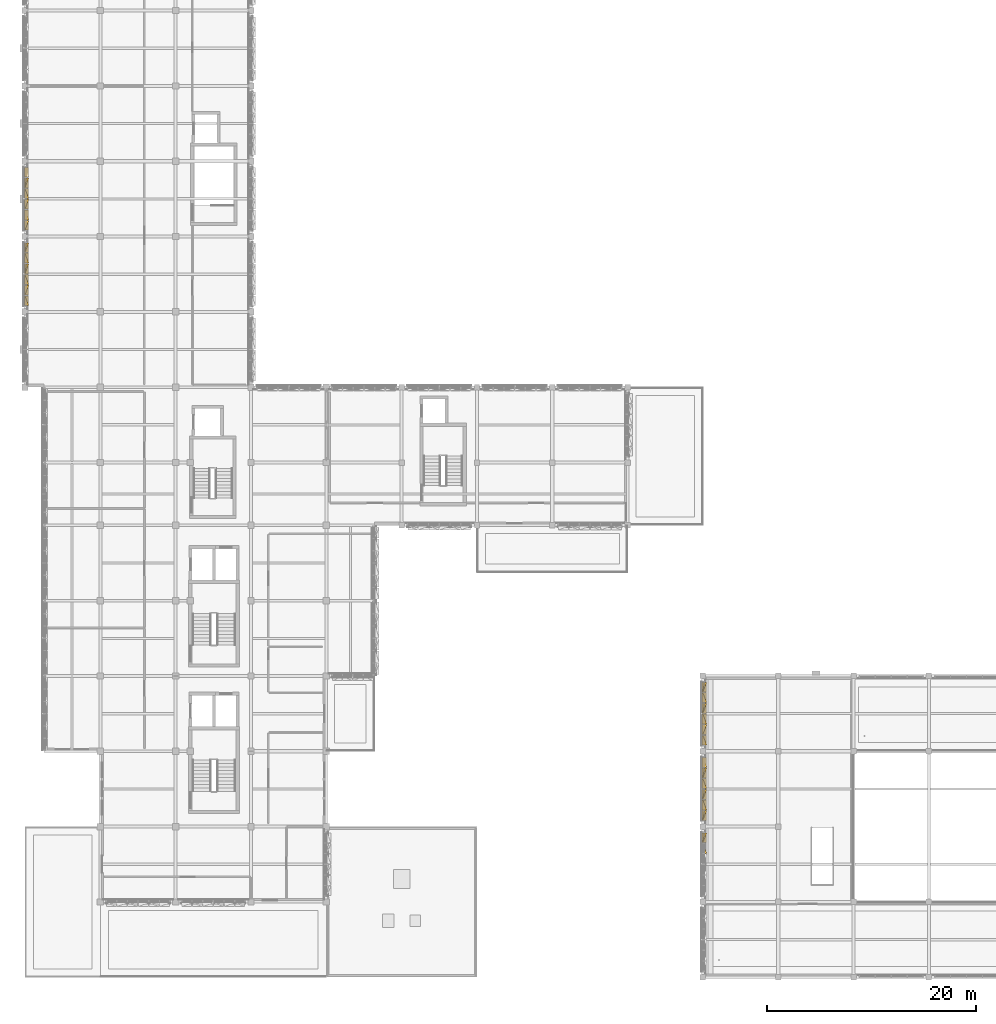
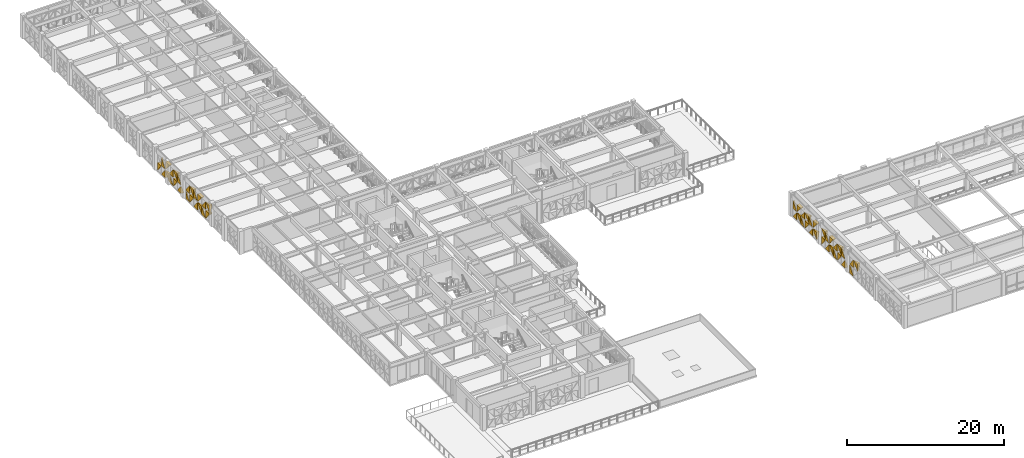
# One storey, part 70 of 74: 50 coverings.
"""IFC4 building model written with IfcOpenShell, lengths in metres."""

from ifc_helpers import new_model, si_unit, direction, frame, origin, place, context, subcontext, project, spatial, polygons, material, layer, layer_set, type_object, element, save


model = new_model("IFC4")

# Units and contexts
model_context = context("Model", 3, precision=1e-05, world=origin(), true_north=direction((0.0, 1.0)))
body_context = subcontext(model_context, "Body", "Model", "MODEL_VIEW")
ifc_project = project(units=[si_unit("LENGTHUNIT", "METRE"), si_unit("AREAUNIT", "SQUARE_METRE"), si_unit("VOLUMEUNIT", "CUBIC_METRE"), si_unit("PLANEANGLEUNIT", "RADIAN"), si_unit("MASSUNIT", "GRAM", prefix="KILO")], contexts=[model_context])

# Site, building, storey
site_placement = place(None, origin())
site = spatial("IfcSite", under=ifc_project, at=site_placement, CompositionType="ELEMENT")
building_placement = place(site_placement, origin())
building = spatial("IfcBuilding", under=site, at=building_placement, Name="Alvorim Cloister Faculty of Sciences", CompositionType="ELEMENT")
storey_placement = place(building_placement, frame((0.0, 0.0, 15.75)))
storey = spatial("IfcBuildingStorey", under=building, at=storey_placement, Name="L04", CompositionType="ELEMENT", Elevation=15.75)

# Coverings
ifc_material = material(Name="Perforated Bronze Alloy Sheet", Category="metal")
ifc_layer = layer(ifc_material, 0.0380859375)
ifc_layer_set = layer_set([ifc_layer], Name="Perforated Bronze Alloy Sheet")
covering_type = type_object("IfcCoveringType", Name="COV-TRI-BRZ", PredefinedType="CLADDING", material=ifc_layer_set)
covering_1_placement = place(storey_placement, frame((-0.044921875, 64.205078125, 0.139892578125), z_axis=(0.0, 0.0, 1.0), x_axis=(0.0, 1.0, 0.0)))
element("IfcCovering", 1, at=covering_1_placement, inside=storey, type_object=covering_type, Name="Diagonal Solid Metal Triangle TRI-TR", PredefinedType="CLADDING", context=body_context, shape_type="Tessellation", body=[
    polygons([(0.922607421875, 0.0260009765625, 0.002), (0.922607421875, 0.0260009765625, 1.215087890625), (0.002, 0.0260009765625, 1.215087890625), (0.922607421875, -0.03, 0.002), (0.922607421875, -0.4, 1.215087890625), (0.002, -0.4, 1.215087890625)], [[[1, 3, 2]], [[4, 5, 6]], [[1, 2, 5, 4]], [[2, 3, 6, 5]], [[3, 1, 4, 6]]], closed=True),
])
covering_2_placement = place(storey_placement, frame((-0.044921875, 64.205078125, 1.4951171875), z_axis=(0.0, 0.0, 1.0), x_axis=(0.0, 1.0, 0.0)))
element("IfcCovering", 2, at=covering_2_placement, inside=storey, type_object=covering_type, Name="Diagonal Solid Metal Triangle TRI-TL", PredefinedType="CLADDING", context=body_context, shape_type="Tessellation", body=[
    polygons([(0.920607421875, 0.0260009765625, 1.21484375), (0.0, 0.0260009765625, 1.21484375), (0.0, 0.0260009765625, 0.002), (0.920607421875, -0.03, 1.21484375), (0.0, -0.4, 1.21484375), (0.0, -0.13999999999999999, 0.002)], [[[1, 3, 2]], [[4, 5, 6]], [[1, 2, 5, 4]], [[2, 3, 6, 5]], [[3, 1, 4, 6]]], closed=True),
])
covering_3_placement = place(storey_placement, frame((-0.044921875, 65.1923828125, 0.139892578125), z_axis=(0.0, 0.0, 1.0), x_axis=(0.0, 1.0, 0.0)))
element("IfcCovering", 3, at=covering_3_placement, inside=storey, type_object=covering_type, Name="Diagonal Solid Metal Triangle TRI-BR", PredefinedType="CLADDING", context=body_context, shape_type="Tessellation", body=[
    polygons([(0.002, 0.0260009765625, 0.0), (0.955078125, 0.0260009765625, 0.0), (0.955078125, 0.0260009765625, 1.213087890625), (0.002, -0.03, 0.0), (0.955078125, -0.4, 0.0), (0.955078125, -0.18000000000000002, 1.213087890625)], [[[1, 3, 2]], [[4, 5, 6]], [[1, 2, 5, 4]], [[2, 3, 6, 5]], [[3, 1, 4, 6]]], closed=True),
])
covering_4_placement = place(storey_placement, frame((-0.044921875, 65.1923828125, 1.4951171875), z_axis=(0.0, 0.0, 1.0), x_axis=(0.0, 1.0, 0.0)))
element("IfcCovering", 4, at=covering_4_placement, inside=storey, type_object=covering_type, Name="Diagonal Solid Metal Triangle TRI-BL", PredefinedType="CLADDING", context=body_context, shape_type="Tessellation", body=[
    polygons([(0.0, 0.0260009765625, 0.0), (0.953078125, 0.0260009765625, 0.0), (0.0, 0.0260009765625, 1.21284375), (0.0, -0.4, 0.0), (0.953078125, -0.4, 0.0), (0.0, -0.03, 1.21284375)], [[[1, 3, 2]], [[4, 5, 6]], [[1, 2, 5, 4]], [[2, 3, 6, 5]], [[3, 1, 4, 6]]], closed=True),
])
covering_5_placement = place(storey_placement, frame((-0.044921875, 66.21240234375, 0.139892578125), z_axis=(0.0, 0.0, 1.0), x_axis=(0.0, 1.0, 0.0)))
element("IfcCovering", 5, at=covering_5_placement, inside=storey, type_object=covering_type, Name="Diagonal Solid Metal Triangle TRI-TL", PredefinedType="CLADDING", context=body_context, shape_type="Tessellation", body=[
    polygons([(0.953078125, 0.0260009765625, 1.215087890625), (0.0, 0.0260009765625, 1.215087890625), (0.0, 0.0260009765625, 0.002), (0.953078125, -0.03, 1.215087890625), (0.0, -0.4, 1.215087890625), (0.0, -0.13999999999999999, 0.002)], [[[1, 3, 2]], [[4, 5, 6]], [[1, 2, 5, 4]], [[2, 3, 6, 5]], [[3, 1, 4, 6]]], closed=True),
])
covering_6_placement = place(storey_placement, frame((-0.044921875, 66.21240234375, 1.4951171875), z_axis=(0.0, 0.0, 1.0), x_axis=(0.0, 1.0, 0.0)))
element("IfcCovering", 6, at=covering_6_placement, inside=storey, type_object=covering_type, Name="Diagonal Solid Metal Triangle TRI-TR", PredefinedType="CLADDING", context=body_context, shape_type="Tessellation", body=[
    polygons([(0.955078125, 0.0260009765625, 0.002), (0.955078125, 0.0260009765625, 1.21484375), (0.002, 0.0260009765625, 1.21484375), (0.955078125, -0.03, 0.002), (0.955078125, -0.4, 1.21484375), (0.002, -0.4, 1.21484375)], [[[1, 3, 2]], [[4, 5, 6]], [[1, 2, 5, 4]], [[2, 3, 6, 5]], [[3, 1, 4, 6]]], closed=True),
])
covering_7_placement = place(storey_placement, frame((-0.044921875, 67.232421875, 0.139892578125), z_axis=(0.0, 0.0, 1.0), x_axis=(0.0, 1.0, 0.0)))
element("IfcCovering", 7, at=covering_7_placement, inside=storey, type_object=covering_type, Name="Diagonal Solid Metal Triangle TRI-BL", PredefinedType="CLADDING", context=body_context, shape_type="Tessellation", body=[
    polygons([(0.0, 0.0260009765625, 0.0), (0.953078125, 0.0260009765625, 0.0), (0.0, 0.0260009765625, 1.213087890625), (0.0, -0.4, 0.0), (0.953078125, -0.4, 0.0), (0.0, -0.03, 1.213087890625)], [[[1, 3, 2]], [[4, 5, 6]], [[1, 2, 5, 4]], [[2, 3, 6, 5]], [[3, 1, 4, 6]]], closed=True),
])
covering_8_placement = place(storey_placement, frame((-0.044921875, 67.232421875, 1.4951171875), z_axis=(0.0, 0.0, 1.0), x_axis=(0.0, 1.0, 0.0)))
element("IfcCovering", 8, at=covering_8_placement, inside=storey, type_object=covering_type, Name="Diagonal Solid Metal Triangle TRI-BR", PredefinedType="CLADDING", context=body_context, shape_type="Tessellation", body=[
    polygons([(0.002, 0.0260009765625, 0.0), (0.955078125, 0.0260009765625, 0.0), (0.955078125, 0.0260009765625, 1.21284375), (0.002, -0.03, 0.0), (0.955078125, -0.4, 0.0), (0.955078125, -0.18000000000000002, 1.21284375)], [[[1, 3, 2]], [[4, 5, 6]], [[1, 2, 5, 4]], [[2, 3, 6, 5]], [[3, 1, 4, 6]]], closed=True),
])
covering_9_placement = place(storey_placement, frame((-0.044921875, 68.25244140625, 0.139892578125), z_axis=(0.0, 0.0, 1.0), x_axis=(0.0, 1.0, 0.0)))
element("IfcCovering", 9, at=covering_9_placement, inside=storey, type_object=covering_type, Name="Diagonal Solid Metal Triangle TRI-TR", PredefinedType="CLADDING", context=body_context, shape_type="Tessellation", body=[
    polygons([(0.955078125, 0.0260009765625, 0.002), (0.955078125, 0.0260009765625, 1.215087890625), (0.002, 0.0260009765625, 1.215087890625), (0.955078125, -0.03, 0.002), (0.955078125, -0.4, 1.215087890625), (0.002, -0.4, 1.215087890625)], [[[1, 3, 2]], [[4, 5, 6]], [[1, 2, 5, 4]], [[2, 3, 6, 5]], [[3, 1, 4, 6]]], closed=True),
])
covering_10_placement = place(storey_placement, frame((-0.044921875, 68.25244140625, 1.4951171875), z_axis=(0.0, 0.0, 1.0), x_axis=(0.0, 1.0, 0.0)))
element("IfcCovering", 10, at=covering_10_placement, inside=storey, type_object=covering_type, Name="Diagonal Solid Metal Triangle TRI-TL", PredefinedType="CLADDING", context=body_context, shape_type="Tessellation", body=[
    polygons([(0.953078125, 0.0260009765625, 1.21484375), (0.0, 0.0260009765625, 1.21484375), (0.0, 0.0260009765625, 0.002), (0.953078125, -0.03, 1.21484375), (0.0, -0.4, 1.21484375), (0.0, -0.13999999999999999, 0.002)], [[[1, 3, 2]], [[4, 5, 6]], [[1, 2, 5, 4]], [[2, 3, 6, 5]], [[3, 1, 4, 6]]], closed=True),
])
covering_11_placement = place(storey_placement, frame((-0.044921875, 69.2724609375, 0.139892578125), z_axis=(0.0, 0.0, 1.0), x_axis=(0.0, 1.0, 0.0)))
element("IfcCovering", 11, at=covering_11_placement, inside=storey, type_object=covering_type, Name="Diagonal Solid Metal Triangle TRI-BR", PredefinedType="CLADDING", context=body_context, shape_type="Tessellation", body=[
    polygons([(0.002, 0.0260009765625, 0.0), (0.922607421875, 0.0260009765625, 0.0), (0.922607421875, 0.0260009765625, 1.213087890625), (0.002, -0.03, 0.0), (0.922607421875, -0.4, 0.0), (0.922607421875, -0.18000000000000002, 1.213087890625)], [[[1, 3, 2]], [[4, 5, 6]], [[1, 2, 5, 4]], [[2, 3, 6, 5]], [[3, 1, 4, 6]]], closed=True),
])
covering_12_placement = place(storey_placement, frame((-0.044921875, 69.2724609375, 1.4951171875), z_axis=(0.0, 0.0, 1.0), x_axis=(0.0, 1.0, 0.0)))
element("IfcCovering", 12, at=covering_12_placement, inside=storey, type_object=covering_type, Name="Diagonal Solid Metal Triangle TRI-BL", PredefinedType="CLADDING", context=body_context, shape_type="Tessellation", body=[
    polygons([(0.0, 0.0260009765625, 0.0), (0.920607421875, 0.0260009765625, 0.0), (0.0, 0.0260009765625, 1.21284375), (0.0, -0.4, 0.0), (0.920607421875, -0.4, 0.0), (0.0, -0.03, 1.21284375)], [[[1, 3, 2]], [[4, 5, 6]], [[1, 2, 5, 4]], [[2, 3, 6, 5]], [[3, 1, 4, 6]]], closed=True),
])
covering_13_placement = place(storey_placement, frame((-0.044921875, 71.405029296875, 0.139892578125), z_axis=(0.0, 0.0, 1.0), x_axis=(0.0, 1.0, 0.0)))
element("IfcCovering", 13, at=covering_13_placement, inside=storey, type_object=covering_type, Name="Diagonal Solid Metal Triangle TRI-BL", PredefinedType="CLADDING", context=body_context, shape_type="Tessellation", body=[
    polygons([(0.0, 0.0260009765625, 0.0), (0.920607421875, 0.0260009765625, 0.0), (0.0, 0.0260009765625, 1.213087890625), (0.0, -0.4, 0.0), (0.920607421875, -0.4, 0.0), (0.0, -0.03, 1.213087890625)], [[[1, 3, 2]], [[4, 5, 6]], [[1, 2, 5, 4]], [[2, 3, 6, 5]], [[3, 1, 4, 6]]], closed=True),
])
covering_14_placement = place(storey_placement, frame((-0.044921875, 71.405029296875, 1.4951171875), z_axis=(0.0, 0.0, 1.0), x_axis=(0.0, 1.0, 0.0)))
element("IfcCovering", 14, at=covering_14_placement, inside=storey, type_object=covering_type, Name="Diagonal Solid Metal Triangle TRI-BR", PredefinedType="CLADDING", context=body_context, shape_type="Tessellation", body=[
    polygons([(0.002, 0.0260009765625, 0.0), (0.922607421875, 0.0260009765625, 0.0), (0.922607421875, 0.0260009765625, 1.21284375), (0.002, -0.03, 0.0), (0.922607421875, -0.4, 0.0), (0.922607421875, -0.18000000000000002, 1.21284375)], [[[1, 3, 2]], [[4, 5, 6]], [[1, 2, 5, 4]], [[2, 3, 6, 5]], [[3, 1, 4, 6]]], closed=True),
])
covering_15_placement = place(storey_placement, frame((-0.044921875, 72.392578125, 0.139892578125), z_axis=(0.0, 0.0, 1.0), x_axis=(0.0, 1.0, 0.0)))
element("IfcCovering", 15, at=covering_15_placement, inside=storey, type_object=covering_type, Name="Diagonal Solid Metal Triangle TRI-TR", PredefinedType="CLADDING", context=body_context, shape_type="Tessellation", body=[
    polygons([(0.955078125, 0.0260009765625, 0.002), (0.955078125, 0.0260009765625, 1.215087890625), (0.002, 0.0260009765625, 1.215087890625), (0.955078125, -0.03, 0.002), (0.955078125, -0.4, 1.215087890625), (0.002, -0.4, 1.215087890625)], [[[1, 3, 2]], [[4, 5, 6]], [[1, 2, 5, 4]], [[2, 3, 6, 5]], [[3, 1, 4, 6]]], closed=True),
])
covering_16_placement = place(storey_placement, frame((-0.044921875, 72.392578125, 1.4951171875), z_axis=(0.0, 0.0, 1.0), x_axis=(0.0, 1.0, 0.0)))
element("IfcCovering", 16, at=covering_16_placement, inside=storey, type_object=covering_type, Name="Diagonal Solid Metal Triangle TRI-TL", PredefinedType="CLADDING", context=body_context, shape_type="Tessellation", body=[
    polygons([(0.953078125, 0.0260009765625, 1.21484375), (0.0, 0.0260009765625, 1.21484375), (0.0, 0.0260009765625, 0.002), (0.953078125, -0.03, 1.21484375), (0.0, -0.4, 1.21484375), (0.0, -0.13999999999999999, 0.002)], [[[1, 3, 2]], [[4, 5, 6]], [[1, 2, 5, 4]], [[2, 3, 6, 5]], [[3, 1, 4, 6]]], closed=True),
])
covering_17_placement = place(storey_placement, frame((-0.044921875, 73.41259765625, 0.139892578125), z_axis=(0.0, 0.0, 1.0), x_axis=(0.0, 1.0, 0.0)))
element("IfcCovering", 17, at=covering_17_placement, inside=storey, type_object=covering_type, Name="Diagonal Solid Metal Triangle TRI-BR", PredefinedType="CLADDING", context=body_context, shape_type="Tessellation", body=[
    polygons([(0.002, 0.0260009765625, 0.0), (0.955078125, 0.0260009765625, 0.0), (0.955078125, 0.0260009765625, 1.213087890625), (0.002, -0.03, 0.0), (0.955078125, -0.4, 0.0), (0.955078125, -0.18000000000000002, 1.213087890625)], [[[1, 3, 2]], [[4, 5, 6]], [[1, 2, 5, 4]], [[2, 3, 6, 5]], [[3, 1, 4, 6]]], closed=True),
])
covering_18_placement = place(storey_placement, frame((-0.044921875, 73.41259765625, 1.4951171875), z_axis=(0.0, 0.0, 1.0), x_axis=(0.0, 1.0, 0.0)))
element("IfcCovering", 18, at=covering_18_placement, inside=storey, type_object=covering_type, Name="Diagonal Solid Metal Triangle TRI-BL", PredefinedType="CLADDING", context=body_context, shape_type="Tessellation", body=[
    polygons([(0.0, 0.0260009765625, 0.0), (0.953078125, 0.0260009765625, 0.0), (0.0, 0.0260009765625, 1.21284375), (0.0, -0.4, 0.0), (0.953078125, -0.4, 0.0), (0.0, -0.03, 1.21284375)], [[[1, 3, 2]], [[4, 5, 6]], [[1, 2, 5, 4]], [[2, 3, 6, 5]], [[3, 1, 4, 6]]], closed=True),
])
covering_19_placement = place(storey_placement, frame((-0.044921875, 74.4326171875, 0.139892578125), z_axis=(0.0, 0.0, 1.0), x_axis=(0.0, 1.0, 0.0)))
element("IfcCovering", 19, at=covering_19_placement, inside=storey, type_object=covering_type, Name="Diagonal Solid Metal Triangle TRI-TL", PredefinedType="CLADDING", context=body_context, shape_type="Tessellation", body=[
    polygons([(0.953078125, 0.0260009765625, 1.215087890625), (0.0, 0.0260009765625, 1.215087890625), (0.0, 0.0260009765625, 0.002), (0.953078125, -0.03, 1.215087890625), (0.0, -0.4, 1.215087890625), (0.0, -0.13999999999999999, 0.002)], [[[1, 3, 2]], [[4, 5, 6]], [[1, 2, 5, 4]], [[2, 3, 6, 5]], [[3, 1, 4, 6]]], closed=True),
])
covering_20_placement = place(storey_placement, frame((-0.044921875, 74.4326171875, 1.4951171875), z_axis=(0.0, 0.0, 1.0), x_axis=(0.0, 1.0, 0.0)))
element("IfcCovering", 20, at=covering_20_placement, inside=storey, type_object=covering_type, Name="Diagonal Solid Metal Triangle TRI-TR", PredefinedType="CLADDING", context=body_context, shape_type="Tessellation", body=[
    polygons([(0.955078125, 0.0260009765625, 0.002), (0.955078125, 0.0260009765625, 1.21484375), (0.002, 0.0260009765625, 1.21484375), (0.955078125, -0.03, 0.002), (0.955078125, -0.4, 1.21484375), (0.002, -0.4, 1.21484375)], [[[1, 3, 2]], [[4, 5, 6]], [[1, 2, 5, 4]], [[2, 3, 6, 5]], [[3, 1, 4, 6]]], closed=True),
])
covering_21_placement = place(storey_placement, frame((-0.044921875, 75.452392578125, 0.139892578125), z_axis=(0.0, 0.0, 1.0), x_axis=(0.0, 1.0, 0.0)))
element("IfcCovering", 21, at=covering_21_placement, inside=storey, type_object=covering_type, Name="Diagonal Solid Metal Triangle TRI-BL", PredefinedType="CLADDING", context=body_context, shape_type="Tessellation", body=[
    polygons([(0.0, 0.0260009765625, 0.0), (0.953078125, 0.0260009765625, 0.0), (0.0, 0.0260009765625, 1.213087890625), (0.0, -0.4, 0.0), (0.953078125, -0.4, 0.0), (0.0, -0.03, 1.213087890625)], [[[1, 3, 2]], [[4, 5, 6]], [[1, 2, 5, 4]], [[2, 3, 6, 5]], [[3, 1, 4, 6]]], closed=True),
])
covering_22_placement = place(storey_placement, frame((-0.044921875, 75.452392578125, 1.4951171875), z_axis=(0.0, 0.0, 1.0), x_axis=(0.0, 1.0, 0.0)))
element("IfcCovering", 22, at=covering_22_placement, inside=storey, type_object=covering_type, Name="Diagonal Solid Metal Triangle TRI-BR", PredefinedType="CLADDING", context=body_context, shape_type="Tessellation", body=[
    polygons([(0.002, 0.0260009765625, 0.0), (0.955078125, 0.0260009765625, 0.0), (0.955078125, 0.0260009765625, 1.21284375), (0.002, -0.03, 0.0), (0.955078125, -0.4, 0.0), (0.955078125, -0.18000000000000002, 1.21284375)], [[[1, 3, 2]], [[4, 5, 6]], [[1, 2, 5, 4]], [[2, 3, 6, 5]], [[3, 1, 4, 6]]], closed=True),
])
covering_23_placement = place(storey_placement, frame((-0.044921875, 76.472412109375, 0.139892578125), z_axis=(0.0, 0.0, 1.0), x_axis=(0.0, 1.0, 0.0)))
element("IfcCovering", 23, at=covering_23_placement, inside=storey, type_object=covering_type, Name="Diagonal Solid Metal Triangle TRI-TR", PredefinedType="CLADDING", context=body_context, shape_type="Tessellation", body=[
    polygons([(0.922607421875, 0.0260009765625, 0.002), (0.922607421875, 0.0260009765625, 1.215087890625), (0.002, 0.0260009765625, 1.215087890625), (0.922607421875, -0.03, 0.002), (0.922607421875, -0.4, 1.215087890625), (0.002, -0.4, 1.215087890625)], [[[1, 3, 2]], [[4, 5, 6]], [[1, 2, 5, 4]], [[2, 3, 6, 5]], [[3, 1, 4, 6]]], closed=True),
])
covering_24_placement = place(storey_placement, frame((64.7548828125, 11.8525390625, 1.4951171875), z_axis=(0.0, 0.0, 1.0), x_axis=(0.0, 1.0, 0.0)))
element("IfcCovering", 24, at=covering_24_placement, inside=storey, type_object=covering_type, Name="Diagonal Solid Metal Triangle TRI-TL", PredefinedType="CLADDING", context=body_context, shape_type="Tessellation", body=[
    polygons([(0.953078125, 0.0260009765625, 1.21484375), (0.0, 0.0260009765625, 1.21484375), (0.0, 0.0260009765625, 0.002), (0.953078125, -0.03, 1.21484375), (0.0, -0.4, 1.21484375), (0.0, -0.13999999999999999, 0.002)], [[[1, 3, 2]], [[4, 5, 6]], [[1, 2, 5, 4]], [[2, 3, 6, 5]], [[3, 1, 4, 6]]], closed=True),
])
covering_25_placement = place(storey_placement, frame((64.7548828125, 12.87255859375, 0.139892578125), z_axis=(0.0, 0.0, 1.0), x_axis=(0.0, 1.0, 0.0)))
element("IfcCovering", 25, at=covering_25_placement, inside=storey, type_object=covering_type, Name="Diagonal Solid Metal Triangle TRI-BR", PredefinedType="CLADDING", context=body_context, shape_type="Tessellation", body=[
    polygons([(0.002, 0.0260009765625, 0.0), (0.922607421875, 0.0260009765625, 0.0), (0.922607421875, 0.0260009765625, 1.213087890625), (0.002, -0.03, 0.0), (0.922607421875, -0.4, 0.0), (0.922607421875, -0.18000000000000002, 1.213087890625)], [[[1, 3, 2]], [[4, 5, 6]], [[1, 2, 5, 4]], [[2, 3, 6, 5]], [[3, 1, 4, 6]]], closed=True),
])
covering_26_placement = place(storey_placement, frame((64.7548828125, 12.87255859375, 1.4951171875), z_axis=(0.0, 0.0, 1.0), x_axis=(0.0, 1.0, 0.0)))
element("IfcCovering", 26, at=covering_26_placement, inside=storey, type_object=covering_type, Name="Diagonal Solid Metal Triangle TRI-BL", PredefinedType="CLADDING", context=body_context, shape_type="Tessellation", body=[
    polygons([(0.0, 0.0260009765625, 0.0), (0.920607421875, 0.0260009765625, 0.0), (0.0, 0.0260009765625, 1.21284375), (0.0, -0.4, 0.0), (0.920607421875, -0.4, 0.0), (0.0, -0.03, 1.21284375)], [[[1, 3, 2]], [[4, 5, 6]], [[1, 2, 5, 4]], [[2, 3, 6, 5]], [[3, 1, 4, 6]]], closed=True),
])
covering_27_placement = place(storey_placement, frame((64.7548828125, 15.0048828125, 0.139892578125), z_axis=(0.0, 0.0, 1.0), x_axis=(0.0, 1.0, 0.0)))
element("IfcCovering", 27, at=covering_27_placement, inside=storey, type_object=covering_type, Name="Diagonal Solid Metal Triangle TRI-BL", PredefinedType="CLADDING", context=body_context, shape_type="Tessellation", body=[
    polygons([(0.0, 0.0260009765625, 0.0), (0.920607421875, 0.0260009765625, 0.0), (0.0, 0.0260009765625, 1.213087890625), (0.0, -0.4, 0.0), (0.920607421875, -0.4, 0.0), (0.0, -0.03, 1.213087890625)], [[[1, 3, 2]], [[4, 5, 6]], [[1, 2, 5, 4]], [[2, 3, 6, 5]], [[3, 1, 4, 6]]], closed=True),
])
covering_28_placement = place(storey_placement, frame((64.7548828125, 15.0048828125, 1.4951171875), z_axis=(0.0, 0.0, 1.0), x_axis=(0.0, 1.0, 0.0)))
element("IfcCovering", 28, at=covering_28_placement, inside=storey, type_object=covering_type, Name="Diagonal Solid Metal Triangle TRI-BR", PredefinedType="CLADDING", context=body_context, shape_type="Tessellation", body=[
    polygons([(0.002, 0.0260009765625, 0.0), (0.922607421875, 0.0260009765625, 0.0), (0.922607421875, 0.0260009765625, 1.21284375), (0.002, -0.03, 0.0), (0.922607421875, -0.4, 0.0), (0.922607421875, -0.18000000000000002, 1.21284375)], [[[1, 3, 2]], [[4, 5, 6]], [[1, 2, 5, 4]], [[2, 3, 6, 5]], [[3, 1, 4, 6]]], closed=True),
])
covering_29_placement = place(storey_placement, frame((64.7548828125, 15.992431640625, 0.139892578125), z_axis=(0.0, 0.0, 1.0), x_axis=(0.0, 1.0, 0.0)))
element("IfcCovering", 29, at=covering_29_placement, inside=storey, type_object=covering_type, Name="Diagonal Solid Metal Triangle TRI-TR", PredefinedType="CLADDING", context=body_context, shape_type="Tessellation", body=[
    polygons([(0.955078125, 0.0260009765625, 0.002), (0.955078125, 0.0260009765625, 1.215087890625), (0.002, 0.0260009765625, 1.215087890625), (0.955078125, -0.03, 0.002), (0.955078125, -0.4, 1.215087890625), (0.002, -0.4, 1.215087890625)], [[[1, 3, 2]], [[4, 5, 6]], [[1, 2, 5, 4]], [[2, 3, 6, 5]], [[3, 1, 4, 6]]], closed=True),
])
covering_30_placement = place(storey_placement, frame((64.7548828125, 15.992431640625, 1.4951171875), z_axis=(0.0, 0.0, 1.0), x_axis=(0.0, 1.0, 0.0)))
element("IfcCovering", 30, at=covering_30_placement, inside=storey, type_object=covering_type, Name="Diagonal Solid Metal Triangle TRI-TL", PredefinedType="CLADDING", context=body_context, shape_type="Tessellation", body=[
    polygons([(0.953078125, 0.0260009765625, 1.21484375), (0.0, 0.0260009765625, 1.21484375), (0.0, 0.0260009765625, 0.002), (0.953078125, -0.03, 1.21484375), (0.0, -0.4, 1.21484375), (0.0, -0.13999999999999999, 0.002)], [[[1, 3, 2]], [[4, 5, 6]], [[1, 2, 5, 4]], [[2, 3, 6, 5]], [[3, 1, 4, 6]]], closed=True),
])
covering_31_placement = place(storey_placement, frame((64.7548828125, 17.012451171875, 0.139892578125), z_axis=(0.0, 0.0, 1.0), x_axis=(0.0, 1.0, 0.0)))
element("IfcCovering", 31, at=covering_31_placement, inside=storey, type_object=covering_type, Name="Diagonal Solid Metal Triangle TRI-BR", PredefinedType="CLADDING", context=body_context, shape_type="Tessellation", body=[
    polygons([(0.002, 0.0260009765625, 0.0), (0.955078125, 0.0260009765625, 0.0), (0.955078125, 0.0260009765625, 1.213087890625), (0.002, -0.03, 0.0), (0.955078125, -0.4, 0.0), (0.955078125, -0.18000000000000002, 1.213087890625)], [[[1, 3, 2]], [[4, 5, 6]], [[1, 2, 5, 4]], [[2, 3, 6, 5]], [[3, 1, 4, 6]]], closed=True),
])
covering_32_placement = place(storey_placement, frame((64.7548828125, 17.012451171875, 1.4951171875), z_axis=(0.0, 0.0, 1.0), x_axis=(0.0, 1.0, 0.0)))
element("IfcCovering", 32, at=covering_32_placement, inside=storey, type_object=covering_type, Name="Diagonal Solid Metal Triangle TRI-BL", PredefinedType="CLADDING", context=body_context, shape_type="Tessellation", body=[
    polygons([(0.0, 0.0260009765625, 0.0), (0.953078125, 0.0260009765625, 0.0), (0.0, 0.0260009765625, 1.21284375), (0.0, -0.4, 0.0), (0.953078125, -0.4, 0.0), (0.0, -0.03, 1.21284375)], [[[1, 3, 2]], [[4, 5, 6]], [[1, 2, 5, 4]], [[2, 3, 6, 5]], [[3, 1, 4, 6]]], closed=True),
])
covering_33_placement = place(storey_placement, frame((64.7548828125, 18.032470703125, 0.139892578125), z_axis=(0.0, 0.0, 1.0), x_axis=(0.0, 1.0, 0.0)))
element("IfcCovering", 33, at=covering_33_placement, inside=storey, type_object=covering_type, Name="Diagonal Solid Metal Triangle TRI-TL", PredefinedType="CLADDING", context=body_context, shape_type="Tessellation", body=[
    polygons([(0.953078125, 0.0260009765625, 1.215087890625), (0.0, 0.0260009765625, 1.215087890625), (0.0, 0.0260009765625, 0.002), (0.953078125, -0.03, 1.215087890625), (0.0, -0.4, 1.215087890625), (0.0, -0.13999999999999999, 0.002)], [[[1, 3, 2]], [[4, 5, 6]], [[1, 2, 5, 4]], [[2, 3, 6, 5]], [[3, 1, 4, 6]]], closed=True),
])
covering_34_placement = place(storey_placement, frame((64.7548828125, 18.032470703125, 1.4951171875), z_axis=(0.0, 0.0, 1.0), x_axis=(0.0, 1.0, 0.0)))
element("IfcCovering", 34, at=covering_34_placement, inside=storey, type_object=covering_type, Name="Diagonal Solid Metal Triangle TRI-TR", PredefinedType="CLADDING", context=body_context, shape_type="Tessellation", body=[
    polygons([(0.955078125, 0.0260009765625, 0.002), (0.955078125, 0.0260009765625, 1.21484375), (0.002, 0.0260009765625, 1.21484375), (0.955078125, -0.03, 0.002), (0.955078125, -0.4, 1.21484375), (0.002, -0.4, 1.21484375)], [[[1, 3, 2]], [[4, 5, 6]], [[1, 2, 5, 4]], [[2, 3, 6, 5]], [[3, 1, 4, 6]]], closed=True),
])
covering_35_placement = place(storey_placement, frame((64.7548828125, 19.052490234375, 0.139892578125), z_axis=(0.0, 0.0, 1.0), x_axis=(0.0, 1.0, 0.0)))
element("IfcCovering", 35, at=covering_35_placement, inside=storey, type_object=covering_type, Name="Diagonal Solid Metal Triangle TRI-BL", PredefinedType="CLADDING", context=body_context, shape_type="Tessellation", body=[
    polygons([(0.0, 0.0260009765625, 0.0), (0.953078125, 0.0260009765625, 0.0), (0.0, 0.0260009765625, 1.213087890625), (0.0, -0.4, 0.0), (0.953078125, -0.4, 0.0), (0.0, -0.03, 1.213087890625)], [[[1, 3, 2]], [[4, 5, 6]], [[1, 2, 5, 4]], [[2, 3, 6, 5]], [[3, 1, 4, 6]]], closed=True),
])
covering_36_placement = place(storey_placement, frame((64.7548828125, 19.052490234375, 1.4951171875), z_axis=(0.0, 0.0, 1.0), x_axis=(0.0, 1.0, 0.0)))
element("IfcCovering", 36, at=covering_36_placement, inside=storey, type_object=covering_type, Name="Diagonal Solid Metal Triangle TRI-BR", PredefinedType="CLADDING", context=body_context, shape_type="Tessellation", body=[
    polygons([(0.002, 0.0260009765625, 0.0), (0.955078125, 0.0260009765625, 0.0), (0.955078125, 0.0260009765625, 1.21284375), (0.002, -0.03, 0.0), (0.955078125, -0.4, 0.0), (0.955078125, -0.18000000000000002, 1.21284375)], [[[1, 3, 2]], [[4, 5, 6]], [[1, 2, 5, 4]], [[2, 3, 6, 5]], [[3, 1, 4, 6]]], closed=True),
])
covering_37_placement = place(storey_placement, frame((64.7548828125, 20.072509765625, 0.139892578125), z_axis=(0.0, 0.0, 1.0), x_axis=(0.0, 1.0, 0.0)))
element("IfcCovering", 37, at=covering_37_placement, inside=storey, type_object=covering_type, Name="Diagonal Solid Metal Triangle TRI-TR", PredefinedType="CLADDING", context=body_context, shape_type="Tessellation", body=[
    polygons([(0.922607421875, 0.0260009765625, 0.002), (0.922607421875, 0.0260009765625, 1.215087890625), (0.002, 0.0260009765625, 1.215087890625), (0.922607421875, -0.03, 0.002), (0.922607421875, -0.4, 1.215087890625), (0.002, -0.4, 1.215087890625)], [[[1, 3, 2]], [[4, 5, 6]], [[1, 2, 5, 4]], [[2, 3, 6, 5]], [[3, 1, 4, 6]]], closed=True),
])
covering_38_placement = place(storey_placement, frame((64.7548828125, 20.072509765625, 1.4951171875), z_axis=(0.0, 0.0, 1.0), x_axis=(0.0, 1.0, 0.0)))
element("IfcCovering", 38, at=covering_38_placement, inside=storey, type_object=covering_type, Name="Diagonal Solid Metal Triangle TRI-TL", PredefinedType="CLADDING", context=body_context, shape_type="Tessellation", body=[
    polygons([(0.920607421875, 0.0260009765625, 1.21484375), (0.0, 0.0260009765625, 1.21484375), (0.0, 0.0260009765625, 0.002), (0.920607421875, -0.03, 1.21484375), (0.0, -0.4, 1.21484375), (0.0, -0.13999999999999999, 0.002)], [[[1, 3, 2]], [[4, 5, 6]], [[1, 2, 5, 4]], [[2, 3, 6, 5]], [[3, 1, 4, 6]]], closed=True),
])
covering_39_placement = place(storey_placement, frame((64.7548828125, 22.205078125, 0.139892578125), z_axis=(0.0, 0.0, 1.0), x_axis=(0.0, 1.0, 0.0)))
element("IfcCovering", 39, at=covering_39_placement, inside=storey, type_object=covering_type, Name="Diagonal Solid Metal Triangle TRI-TL", PredefinedType="CLADDING", context=body_context, shape_type="Tessellation", body=[
    polygons([(0.920607421875, 0.0260009765625, 1.162841796875), (0.0, 0.0260009765625, 1.162841796875), (0.0, 0.0260009765625, 0.002), (0.920607421875, -0.03, 1.162841796875), (0.0, -0.4, 1.162841796875), (0.0, -0.13999999999999999, 0.002)], [[[1, 3, 2]], [[4, 5, 6]], [[1, 2, 5, 4]], [[2, 3, 6, 5]], [[3, 1, 4, 6]]], closed=True),
])
covering_40_placement = place(storey_placement, frame((64.7548828125, 22.205078125, 1.44287109375), z_axis=(0.0, 0.0, 1.0), x_axis=(0.0, 1.0, 0.0)))
element("IfcCovering", 40, at=covering_40_placement, inside=storey, type_object=covering_type, Name="Diagonal Solid Metal Triangle TRI-TR", PredefinedType="CLADDING", context=body_context, shape_type="Tessellation", body=[
    polygons([(0.922607421875, 0.0260009765625, 0.002), (0.922607421875, 0.0260009765625, 1.162841796875), (0.002, 0.0260009765625, 1.162841796875), (0.922607421875, -0.03, 0.002), (0.922607421875, -0.4, 1.162841796875), (0.002, -0.4, 1.162841796875)], [[[1, 3, 2]], [[4, 5, 6]], [[1, 2, 5, 4]], [[2, 3, 6, 5]], [[3, 1, 4, 6]]], closed=True),
])
covering_41_placement = place(storey_placement, frame((64.7548828125, 23.1923828125, 0.139892578125), z_axis=(0.0, 0.0, 1.0), x_axis=(0.0, 1.0, 0.0)))
element("IfcCovering", 41, at=covering_41_placement, inside=storey, type_object=covering_type, Name="Diagonal Solid Metal Triangle TRI-BL", PredefinedType="CLADDING", context=body_context, shape_type="Tessellation", body=[
    polygons([(0.0, 0.0260009765625, 0.0), (0.953078125, 0.0260009765625, 0.0), (0.0, 0.0260009765625, 1.160841796875), (0.0, -0.4, 0.0), (0.953078125, -0.4, 0.0), (0.0, -0.03, 1.160841796875)], [[[1, 3, 2]], [[4, 5, 6]], [[1, 2, 5, 4]], [[2, 3, 6, 5]], [[3, 1, 4, 6]]], closed=True),
])
covering_42_placement = place(storey_placement, frame((64.7548828125, 23.1923828125, 1.44287109375), z_axis=(0.0, 0.0, 1.0), x_axis=(0.0, 1.0, 0.0)))
element("IfcCovering", 42, at=covering_42_placement, inside=storey, type_object=covering_type, Name="Diagonal Solid Metal Triangle TRI-BR", PredefinedType="CLADDING", context=body_context, shape_type="Tessellation", body=[
    polygons([(0.002, 0.0260009765625, 0.0), (0.955078125, 0.0260009765625, 0.0), (0.955078125, 0.0260009765625, 1.160841796875), (0.002, -0.03, 0.0), (0.955078125, -0.4, 0.0), (0.955078125, -0.18000000000000002, 1.160841796875)], [[[1, 3, 2]], [[4, 5, 6]], [[1, 2, 5, 4]], [[2, 3, 6, 5]], [[3, 1, 4, 6]]], closed=True),
])
covering_43_placement = place(storey_placement, frame((64.7548828125, 24.21240234375, 0.139892578125), z_axis=(0.0, 0.0, 1.0), x_axis=(0.0, 1.0, 0.0)))
element("IfcCovering", 43, at=covering_43_placement, inside=storey, type_object=covering_type, Name="Diagonal Solid Metal Triangle TRI-TR", PredefinedType="CLADDING", context=body_context, shape_type="Tessellation", body=[
    polygons([(0.955078125, 0.0260009765625, 0.002), (0.955078125, 0.0260009765625, 1.162841796875), (0.002, 0.0260009765625, 1.162841796875), (0.955078125, -0.03, 0.002), (0.955078125, -0.4, 1.162841796875), (0.002, -0.4, 1.162841796875)], [[[1, 3, 2]], [[4, 5, 6]], [[1, 2, 5, 4]], [[2, 3, 6, 5]], [[3, 1, 4, 6]]], closed=True),
])
covering_44_placement = place(storey_placement, frame((64.7548828125, 24.21240234375, 1.44287109375), z_axis=(0.0, 0.0, 1.0), x_axis=(0.0, 1.0, 0.0)))
element("IfcCovering", 44, at=covering_44_placement, inside=storey, type_object=covering_type, Name="Diagonal Solid Metal Triangle TRI-TL", PredefinedType="CLADDING", context=body_context, shape_type="Tessellation", body=[
    polygons([(0.953078125, 0.0260009765625, 1.162841796875), (0.0, 0.0260009765625, 1.162841796875), (0.0, 0.0260009765625, 0.002), (0.953078125, -0.03, 1.162841796875), (0.0, -0.4, 1.162841796875), (0.0, -0.13999999999999999, 0.002)], [[[1, 3, 2]], [[4, 5, 6]], [[1, 2, 5, 4]], [[2, 3, 6, 5]], [[3, 1, 4, 6]]], closed=True),
])
covering_45_placement = place(storey_placement, frame((64.7548828125, 25.232421875, 0.139892578125), z_axis=(0.0, 0.0, 1.0), x_axis=(0.0, 1.0, 0.0)))
element("IfcCovering", 45, at=covering_45_placement, inside=storey, type_object=covering_type, Name="Diagonal Solid Metal Triangle TRI-BR", PredefinedType="CLADDING", context=body_context, shape_type="Tessellation", body=[
    polygons([(0.002, 0.0260009765625, 0.0), (0.955078125, 0.0260009765625, 0.0), (0.955078125, 0.0260009765625, 1.160841796875), (0.002, -0.03, 0.0), (0.955078125, -0.4, 0.0), (0.955078125, -0.18000000000000002, 1.160841796875)], [[[1, 3, 2]], [[4, 5, 6]], [[1, 2, 5, 4]], [[2, 3, 6, 5]], [[3, 1, 4, 6]]], closed=True),
])
covering_46_placement = place(storey_placement, frame((64.7548828125, 25.232421875, 1.44287109375), z_axis=(0.0, 0.0, 1.0), x_axis=(0.0, 1.0, 0.0)))
element("IfcCovering", 46, at=covering_46_placement, inside=storey, type_object=covering_type, Name="Diagonal Solid Metal Triangle TRI-BL", PredefinedType="CLADDING", context=body_context, shape_type="Tessellation", body=[
    polygons([(0.0, 0.0260009765625, 0.0), (0.953078125, 0.0260009765625, 0.0), (0.0, 0.0260009765625, 1.160841796875), (0.0, -0.4, 0.0), (0.953078125, -0.4, 0.0), (0.0, -0.03, 1.160841796875)], [[[1, 3, 2]], [[4, 5, 6]], [[1, 2, 5, 4]], [[2, 3, 6, 5]], [[3, 1, 4, 6]]], closed=True),
])
covering_47_placement = place(storey_placement, frame((64.7548828125, 26.25244140625, 0.139892578125), z_axis=(0.0, 0.0, 1.0), x_axis=(0.0, 1.0, 0.0)))
element("IfcCovering", 47, at=covering_47_placement, inside=storey, type_object=covering_type, Name="Diagonal Solid Metal Triangle TRI-TL", PredefinedType="CLADDING", context=body_context, shape_type="Tessellation", body=[
    polygons([(0.953078125, 0.0260009765625, 1.162841796875), (0.0, 0.0260009765625, 1.162841796875), (0.0, 0.0260009765625, 0.002), (0.953078125, -0.03, 1.162841796875), (0.0, -0.4, 1.162841796875), (0.0, -0.13999999999999999, 0.002)], [[[1, 3, 2]], [[4, 5, 6]], [[1, 2, 5, 4]], [[2, 3, 6, 5]], [[3, 1, 4, 6]]], closed=True),
])
covering_48_placement = place(storey_placement, frame((64.7548828125, 26.25244140625, 1.44287109375), z_axis=(0.0, 0.0, 1.0), x_axis=(0.0, 1.0, 0.0)))
element("IfcCovering", 48, at=covering_48_placement, inside=storey, type_object=covering_type, Name="Diagonal Solid Metal Triangle TRI-TR", PredefinedType="CLADDING", context=body_context, shape_type="Tessellation", body=[
    polygons([(0.955078125, 0.0260009765625, 0.002), (0.955078125, 0.0260009765625, 1.162841796875), (0.002, 0.0260009765625, 1.162841796875), (0.955078125, -0.03, 0.002), (0.955078125, -0.4, 1.162841796875), (0.002, -0.4, 1.162841796875)], [[[1, 3, 2]], [[4, 5, 6]], [[1, 2, 5, 4]], [[2, 3, 6, 5]], [[3, 1, 4, 6]]], closed=True),
])
covering_49_placement = place(storey_placement, frame((64.7548828125, 27.2724609375, 0.139892578125), z_axis=(0.0, 0.0, 1.0), x_axis=(0.0, 1.0, 0.0)))
element("IfcCovering", 49, at=covering_49_placement, inside=storey, type_object=covering_type, Name="Diagonal Solid Metal Triangle TRI-BL", PredefinedType="CLADDING", context=body_context, shape_type="Tessellation", body=[
    polygons([(0.0, 0.0260009765625, 0.0), (0.920607421875, 0.0260009765625, 0.0), (0.0, 0.0260009765625, 1.160841796875), (0.0, -0.4, 0.0), (0.920607421875, -0.4, 0.0), (0.0, -0.03, 1.160841796875)], [[[1, 3, 2]], [[4, 5, 6]], [[1, 2, 5, 4]], [[2, 3, 6, 5]], [[3, 1, 4, 6]]], closed=True),
])
covering_50_placement = place(storey_placement, frame((64.7548828125, 27.2724609375, 1.44287109375), z_axis=(0.0, 0.0, 1.0), x_axis=(0.0, 1.0, 0.0)))
element("IfcCovering", 50, at=covering_50_placement, inside=storey, type_object=covering_type, Name="Diagonal Solid Metal Triangle TRI-BR", PredefinedType="CLADDING", context=body_context, shape_type="Tessellation", body=[
    polygons([(0.002, 0.0260009765625, 0.0), (0.922607421875, 0.0260009765625, 0.0), (0.922607421875, 0.0260009765625, 1.160841796875), (0.002, -0.03, 0.0), (0.922607421875, -0.4, 0.0), (0.922607421875, -0.18000000000000002, 1.160841796875)], [[[1, 3, 2]], [[4, 5, 6]], [[1, 2, 5, 4]], [[2, 3, 6, 5]], [[3, 1, 4, 6]]], closed=True),
])

save(model, "model.ifc")
